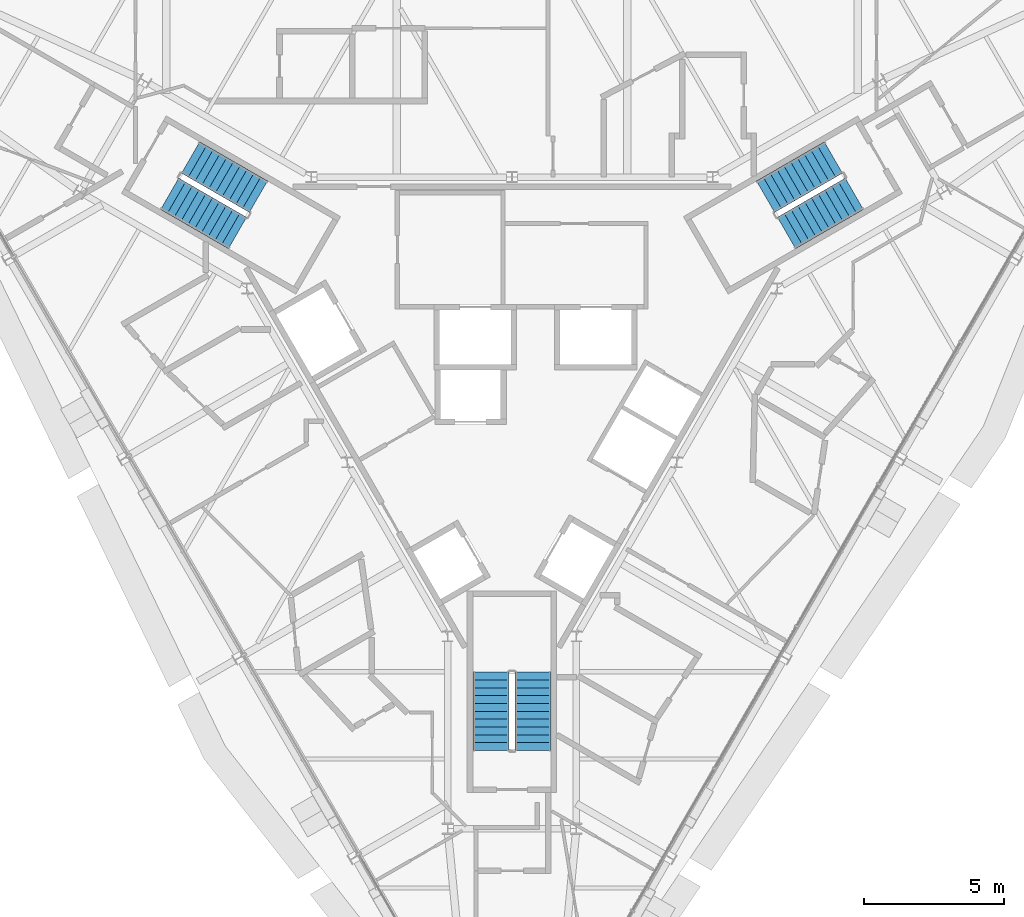
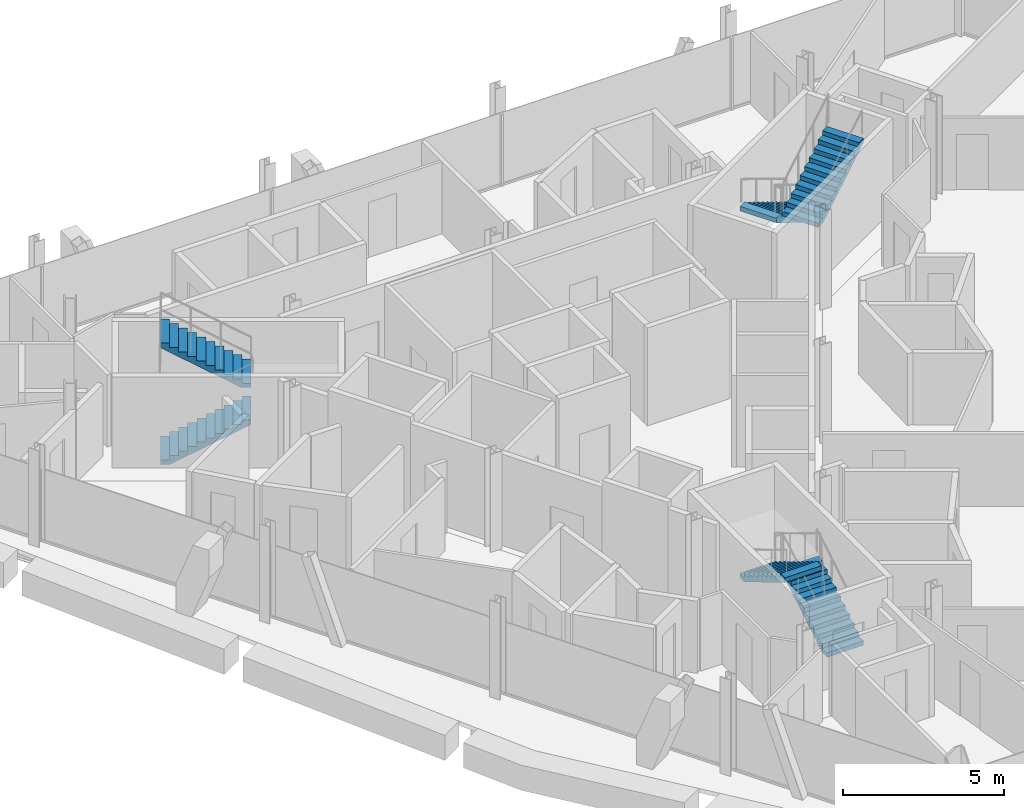
# One storey, part 13 of 15: 6 stair flights, 3 elements without a shape of their own.
"""IFC4 building model written with IfcOpenShell, lengths in metres."""

from ifc_helpers import new_model, si_unit, direction, frame, origin, place, context, subcontext, project, spatial, polyline, outline, extrude, material, type_object, element, aggregate, save


model = new_model("IFC4")

# Units and contexts
model_context = context("Model", 3, precision=1e-05, world=origin(), true_north=direction((0.0, 1.0)))
body_context = subcontext(model_context, "Body", "Model", "MODEL_VIEW")
ifc_project = project(units=[si_unit("LENGTHUNIT", "METRE"), si_unit("AREAUNIT", "SQUARE_METRE"), si_unit("VOLUMEUNIT", "CUBIC_METRE"), si_unit("PLANEANGLEUNIT", "RADIAN"), si_unit("MASSUNIT", "GRAM", prefix="KILO")], contexts=[model_context])

# Site, building, storey
site_placement = place(None, origin())
site = spatial("IfcSite", under=ifc_project, at=site_placement, CompositionType="ELEMENT")
building_placement = place(site_placement, origin())
building = spatial("IfcBuilding", under=site, at=building_placement, Name="Verrane Prism Tower", CompositionType="ELEMENT")
storey_placement = place(building_placement, frame((0.0, 0.0, 301.0)))
storey = spatial("IfcBuildingStorey", under=building, at=storey_placement, Name="L76", CompositionType="ELEMENT", Elevation=301.0)

# Stair, stair flights
ifc_material_1 = material(Name="Concrete C40/50", Category="concrete")
stair_type = type_object("IfcStairType", Name="Exit stair 1300 dog-leg precast concrete C40/50", PredefinedType="HALF_TURN_STAIR", material=ifc_material_1)
stair_1_placement = place(storey_placement, origin())
stair_1 = element("IfcStair", 1, at=stair_1_placement, inside=storey, type_object=stair_type, Name="Stair 1 L76", PredefinedType="HALF_TURN_STAIR")
ifc_material_2 = material(Name="Concrete C40/50", Category="concrete")
stair_flight_type = type_object("IfcStairFlightType", Name="Stair flight 1300 precast concrete C40/50", PredefinedType="STRAIGHT", material=ifc_material_2)
stair_flight_1_placement = place(storey_placement, frame((11.489501953125, 7.49951171875, 0.0), z_axis=(0.0, 0.0, 1.0), x_axis=(-0.866025403784, -0.5, 0.0)))
stair_flight_1 = element("IfcStairFlight", 2, at=stair_flight_1_placement, type_object=stair_flight_type, Name="Stair 1 flight 1", NumberOfRisers=11, NumberOfTreads=10, PredefinedType="STRAIGHT", RiserHeight=0.168181818, TreadLength=0.28, context=body_context, shape_type="SweptSolid", body=[
    extrude(outline(polyline([(0.0, 0.0), (0.0, 0.168212890625), (0.280029296875, 0.168212890625), (0.280029296875, 0.33642578125), (0.56005859375, 0.33642578125), (0.56005859375, 0.504638671875), (0.840087890625, 0.504638671875), (0.840087890625, 0.672607421875), (1.1201171875, 0.672607421875), (1.1201171875, 0.8408203125), (1.39990234375, 0.8408203125), (1.39990234375, 1.009033203125), (1.679931640625, 1.009033203125), (1.679931640625, 1.17724609375), (1.9599609375, 1.17724609375), (1.9599609375, 1.345458984375), (2.239990234375, 1.345458984375), (2.239990234375, 1.513671875), (2.52001953125, 1.513671875), (2.52001953125, 1.681884765625), (2.800048828125, 1.681884765625), (2.800048828125, 1.85009765625), (2.800048828125, 1.5068359375), (0.291015625, 0.0), (0.0, 0.0)])), frame((0.0, 0.64990234375, 0.0), z_axis=(0.0, -1.0, 0.0), x_axis=(1.0, 0.0, 0.0)), (0.0, 0.0, 1.0), 1.300048828125),
])
stair_flight_2_placement = place(storey_placement, frame((9.814697265625, 4.800537109375, 1.85009765625), z_axis=(0.0, 0.0, 1.0), x_axis=(0.866025403784, 0.5, 0.0)))
stair_flight_2 = element("IfcStairFlight", 3, at=stair_flight_2_placement, type_object=stair_flight_type, Name="Stair 1 flight 2", NumberOfRisers=11, NumberOfTreads=10, PredefinedType="STRAIGHT", RiserHeight=0.168181818, TreadLength=0.28, context=body_context, shape_type="SweptSolid", body=[
    extrude(outline(polyline([(0.0, 0.0), (0.0, 0.168212890625), (0.280029296875, 0.168212890625), (0.280029296875, 0.33642578125), (0.56005859375, 0.33642578125), (0.56005859375, 0.504638671875), (0.840087890625, 0.504638671875), (0.840087890625, 0.672607421875), (1.1201171875, 0.672607421875), (1.1201171875, 0.8408203125), (1.39990234375, 0.8408203125), (1.39990234375, 1.009033203125), (1.679931640625, 1.009033203125), (1.679931640625, 1.17724609375), (1.9599609375, 1.17724609375), (1.9599609375, 1.345458984375), (2.239990234375, 1.345458984375), (2.239990234375, 1.513671875), (2.52001953125, 1.513671875), (2.52001953125, 1.681884765625), (2.800048828125, 1.681884765625), (2.800048828125, 1.85009765625), (2.800048828125, 1.5068359375), (0.291015625, 0.0), (0.0, 0.0)])), frame((0.0, 0.64990234375, 0.0), z_axis=(0.0, -1.0, 0.0), x_axis=(1.0, 0.0, 0.0)), (0.0, 0.0, 1.0), 1.300048828125),
])
aggregate(stair_1, [stair_flight_1, stair_flight_2])

stair_2_placement = place(storey_placement, origin())
stair_2 = element("IfcStair", 4, at=stair_2_placement, inside=storey, type_object=stair_type, Name="Stair 2 L76", PredefinedType="HALF_TURN_STAIR")
stair_flight_3_placement = place(storey_placement, frame((-12.239501953125, 6.200439453125, 0.0), z_axis=(0.0, 0.0, 1.0), x_axis=(0.866025403784, -0.5, 0.0)))
stair_flight_3 = element("IfcStairFlight", 5, at=stair_flight_3_placement, type_object=stair_flight_type, Name="Stair 2 flight 1", NumberOfRisers=11, NumberOfTreads=10, PredefinedType="STRAIGHT", RiserHeight=0.168181818, TreadLength=0.28, context=body_context, shape_type="SweptSolid", body=[
    extrude(outline(polyline([(0.0, 0.0), (0.0, 0.168212890625), (0.280029296875, 0.168212890625), (0.280029296875, 0.33642578125), (0.56005859375, 0.33642578125), (0.56005859375, 0.504638671875), (0.840087890625, 0.504638671875), (0.840087890625, 0.672607421875), (1.1201171875, 0.672607421875), (1.1201171875, 0.8408203125), (1.39990234375, 0.8408203125), (1.39990234375, 1.009033203125), (1.679931640625, 1.009033203125), (1.679931640625, 1.17724609375), (1.9599609375, 1.17724609375), (1.9599609375, 1.345458984375), (2.239990234375, 1.345458984375), (2.239990234375, 1.513671875), (2.52001953125, 1.513671875), (2.52001953125, 1.681884765625), (2.800048828125, 1.681884765625), (2.800048828125, 1.85009765625), (2.800048828125, 1.5068359375), (0.291015625, 0.0), (0.0, 0.0)])), frame((0.0, 0.64990234375, 0.0), z_axis=(0.0, -1.0, 0.0), x_axis=(1.0, 0.0, 0.0)), (0.0, 0.0, 1.0), 1.300048828125),
])
stair_flight_4_placement = place(storey_placement, frame((-9.064697265625, 6.099609375, 1.85009765625), z_axis=(0.0, 0.0, 1.0), x_axis=(-0.866025403784, 0.5, 0.0)))
stair_flight_4 = element("IfcStairFlight", 6, at=stair_flight_4_placement, type_object=stair_flight_type, Name="Stair 2 flight 2", NumberOfRisers=11, NumberOfTreads=10, PredefinedType="STRAIGHT", RiserHeight=0.168181818, TreadLength=0.28, context=body_context, shape_type="SweptSolid", body=[
    extrude(outline(polyline([(0.0, 0.0), (0.0, 0.168212890625), (0.280029296875, 0.168212890625), (0.280029296875, 0.33642578125), (0.56005859375, 0.33642578125), (0.56005859375, 0.504638671875), (0.840087890625, 0.504638671875), (0.840087890625, 0.672607421875), (1.1201171875, 0.672607421875), (1.1201171875, 0.8408203125), (1.39990234375, 0.8408203125), (1.39990234375, 1.009033203125), (1.679931640625, 1.009033203125), (1.679931640625, 1.17724609375), (1.9599609375, 1.17724609375), (1.9599609375, 1.345458984375), (2.239990234375, 1.345458984375), (2.239990234375, 1.513671875), (2.52001953125, 1.513671875), (2.52001953125, 1.681884765625), (2.800048828125, 1.681884765625), (2.800048828125, 1.85009765625), (2.800048828125, 1.5068359375), (0.291015625, 0.0), (0.0, 0.0)])), frame((0.0, 0.64990234375, 0.0), z_axis=(0.0, -1.0, 0.0), x_axis=(1.0, 0.0, 0.0)), (0.0, 0.0, 1.0), 1.300048828125),
])
aggregate(stair_2, [stair_flight_3, stair_flight_4])

stair_3_placement = place(storey_placement, origin())
stair_3 = element("IfcStair", 7, at=stair_3_placement, inside=storey, type_object=stair_type, Name="Stair 3 L76", PredefinedType="HALF_TURN_STAIR")
stair_flight_5_placement = place(storey_placement, frame((0.75, -13.699951171875, 0.0), z_axis=(0.0, 0.0, 1.0), x_axis=(0.0, 1.0, 0.0)))
stair_flight_5 = element("IfcStairFlight", 8, at=stair_flight_5_placement, type_object=stair_flight_type, Name="Stair 3 flight 1", NumberOfRisers=11, NumberOfTreads=10, PredefinedType="STRAIGHT", RiserHeight=0.168181818, TreadLength=0.28, context=body_context, shape_type="SweptSolid", body=[
    extrude(outline(polyline([(0.0, 0.0), (0.0, 0.168212890625), (0.280029296875, 0.168212890625), (0.280029296875, 0.33642578125), (0.56005859375, 0.33642578125), (0.56005859375, 0.504638671875), (0.840087890625, 0.504638671875), (0.840087890625, 0.672607421875), (1.1201171875, 0.672607421875), (1.1201171875, 0.8408203125), (1.39990234375, 0.8408203125), (1.39990234375, 1.009033203125), (1.679931640625, 1.009033203125), (1.679931640625, 1.17724609375), (1.9599609375, 1.17724609375), (1.9599609375, 1.345458984375), (2.239990234375, 1.345458984375), (2.239990234375, 1.513671875), (2.52001953125, 1.513671875), (2.52001953125, 1.681884765625), (2.800048828125, 1.681884765625), (2.800048828125, 1.85009765625), (2.800048828125, 1.5068359375), (0.291015625, 0.0), (0.0, 0.0)])), frame((0.0, 0.64990234375, 0.0), z_axis=(0.0, -1.0, 0.0), x_axis=(1.0, 0.0, 0.0)), (0.0, 0.0, 1.0), 1.300048828125),
])
stair_flight_6_placement = place(storey_placement, frame((-0.75, -10.89990234375, 1.85009765625), z_axis=(0.0, 0.0, 1.0), x_axis=(0.0, -1.0, 0.0)))
stair_flight_6 = element("IfcStairFlight", 9, at=stair_flight_6_placement, type_object=stair_flight_type, Name="Stair 3 flight 2", NumberOfRisers=11, NumberOfTreads=10, PredefinedType="STRAIGHT", RiserHeight=0.168181818, TreadLength=0.28, context=body_context, shape_type="SweptSolid", body=[
    extrude(outline(polyline([(0.0, 0.0), (0.0, 0.168212890625), (0.280029296875, 0.168212890625), (0.280029296875, 0.33642578125), (0.56005859375, 0.33642578125), (0.56005859375, 0.504638671875), (0.840087890625, 0.504638671875), (0.840087890625, 0.672607421875), (1.1201171875, 0.672607421875), (1.1201171875, 0.8408203125), (1.39990234375, 0.8408203125), (1.39990234375, 1.009033203125), (1.679931640625, 1.009033203125), (1.679931640625, 1.17724609375), (1.9599609375, 1.17724609375), (1.9599609375, 1.345458984375), (2.239990234375, 1.345458984375), (2.239990234375, 1.513671875), (2.52001953125, 1.513671875), (2.52001953125, 1.681884765625), (2.800048828125, 1.681884765625), (2.800048828125, 1.85009765625), (2.800048828125, 1.5068359375), (0.291015625, 0.0), (0.0, 0.0)])), frame((0.0, 0.64990234375, 0.0), z_axis=(0.0, -1.0, 0.0), x_axis=(1.0, 0.0, 0.0)), (0.0, 0.0, 1.0), 1.300048828125),
])
aggregate(stair_3, [stair_flight_5, stair_flight_6])

save(model, "model.ifc")
